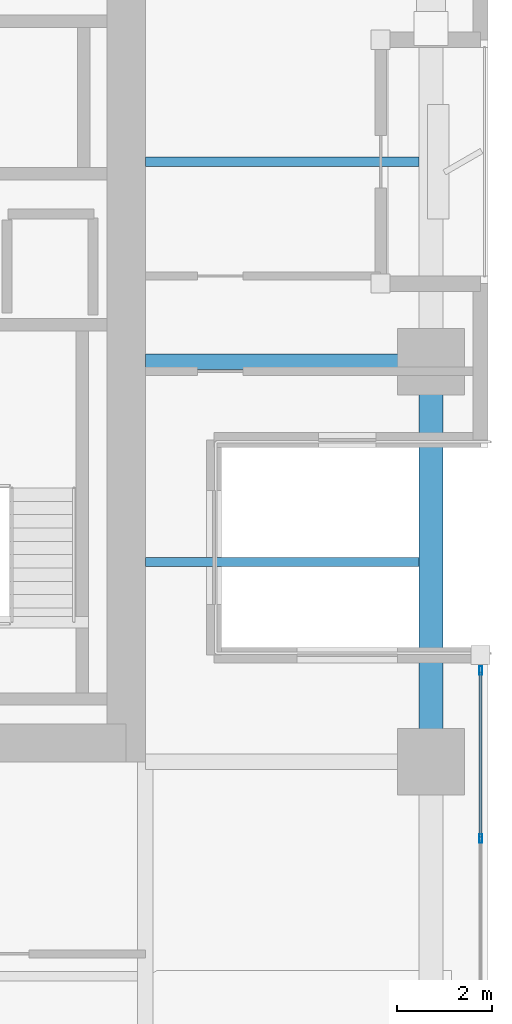
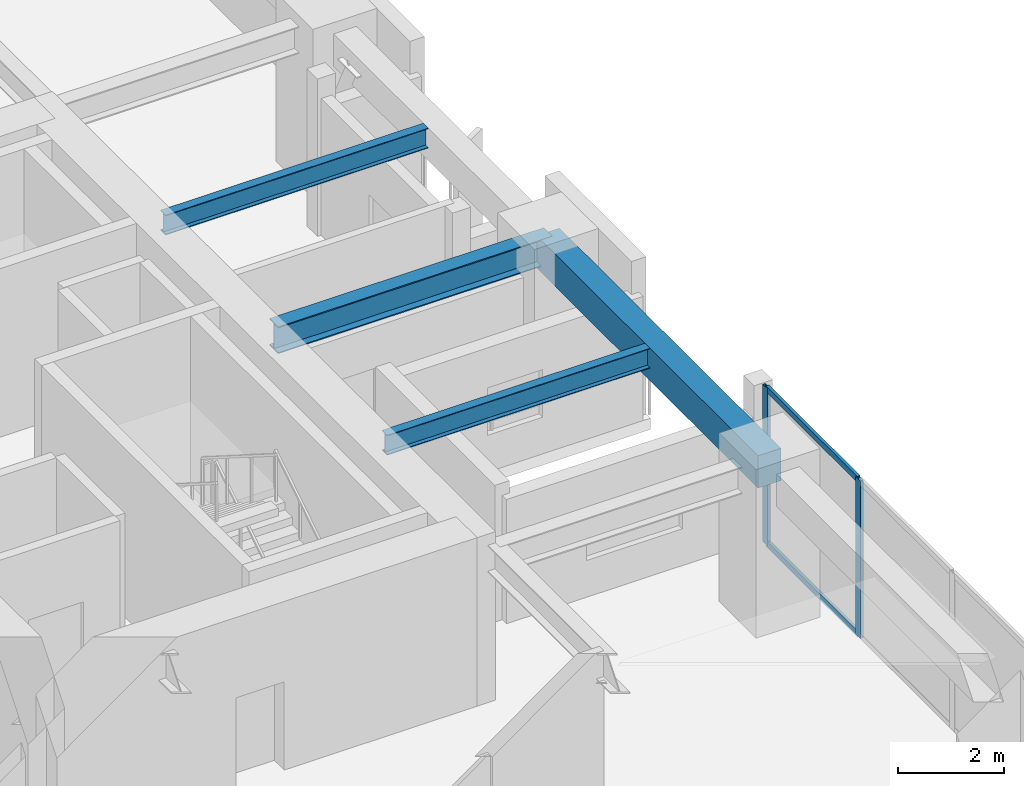
# One storey, part 6 of 24: 4 beams, 4 members, 1 element without a shape of its own.
"""IFC4 building model written with IfcOpenShell, lengths in metres."""

from ifc_helpers import new_model, si_unit, direction, frame, origin, origin_2d, place, context, subcontext, project, spatial, rectangle, hollow_rectangle, i_section, extrude, material, layer, layer_set, material_profile, profile_set, type_object, element, aggregate, save


model = new_model("IFC4")

# Units and contexts
model_context = context("Model", 3, precision=1e-05, world=origin(), true_north=direction((0.0, 1.0)))
body_context = subcontext(model_context, "Body", "Model", "MODEL_VIEW")
ifc_project = project(units=[si_unit("LENGTHUNIT", "METRE"), si_unit("AREAUNIT", "SQUARE_METRE"), si_unit("VOLUMEUNIT", "CUBIC_METRE"), si_unit("PLANEANGLEUNIT", "RADIAN"), si_unit("MASSUNIT", "GRAM", prefix="KILO")], contexts=[model_context])

# Site, building, storey
site_placement = place(None, origin())
site = spatial("IfcSite", under=ifc_project, at=site_placement, CompositionType="ELEMENT")
building_placement = place(site_placement, origin())
building = spatial("IfcBuilding", under=site, at=building_placement, Name="Kiyonajd Concourse Tower", CompositionType="ELEMENT")
storey_placement = place(building_placement, frame((0.0, 0.0, 129.89990234375)))
storey = spatial("IfcBuildingStorey", under=building, at=storey_placement, Name="L33", CompositionType="ELEMENT", Elevation=129.89990234375)

# Beams
ifc_material_1 = material(Name="Steel ASTM A992 Grade 50", Category="steel")
ifc_material_profile_1 = material_profile(ifc_material_1, i_section(OverallWidth=0.19189453125, OverallDepth=0.462890625, WebThickness=0.010498046875, FlangeThickness=0.017578125, at=origin_2d()), Name="W460X89")
ifc_profile_set_1 = profile_set([ifc_material_profile_1], Name="Steel ASTM A992 Grade 50")
beam_type_1 = type_object("IfcBeamType", Name="BM-JST-460B", PredefinedType="JOIST", material=ifc_profile_set_1)
for number, where, z_axis, x_axis, name in (
    (1, (63.60009765625, 31.800048828125, 3.40869140625), (1.0, 0.0, 0.0), (0.0, 1.0, 0.0), "L33 East Secondary Floor Joist"),
    (2, (63.60009765625, 40.199951171875, 3.40869140625), (1.0, 0.0, 0.0), (0.0, 1.0, 0.0), "L33 East Secondary Floor Joist"),
):
    element("IfcBeam", number, at=place(storey_placement, frame(where, z_axis=z_axis, x_axis=x_axis)), inside=storey, type_object=beam_type_1, Name=name, PredefinedType="JOIST", context=body_context, shape_type="SweptSolid", body=[
        extrude(i_section(OverallWidth=0.19189453125, OverallDepth=0.462890625, WebThickness=0.010498046875, FlangeThickness=0.017578125, at=origin_2d()), origin(), (0.0, 0.0, 1.0), 5.75),
    ])
ifc_material_2 = material(Name="Precast concrete C50/60", Category="concrete")
ifc_material_profile_2 = material_profile(ifc_material_2, rectangle(XDim=0.5, YDim=0.75, at=origin_2d()), Name="RCBM-500x750")
ifc_profile_set_2 = profile_set([ifc_material_profile_2], Name="Precast concrete C50/60")
beam_type_2 = type_object("IfcBeamType", Name="BM-SPAN-RC", PredefinedType="SPANDREL", material=ifc_profile_set_2)
beam_1_placement = place(storey_placement, frame((69.60009765625, 27.60009765625, 3.26513671875), z_axis=(0.0, 1.0, 0.0), x_axis=(-1.0, 0.0, 0.0)))
element("IfcBeam", 3, at=beam_1_placement, inside=storey, type_object=beam_type_2, Name="L33 Perimeter Bundled Tube Spandrel", PredefinedType="SPANDREL", context=body_context, shape_type="SweptSolid", body=[
    extrude(rectangle(XDim=0.5, YDim=0.75, at=origin_2d()), origin(), (0.0, 0.0, 1.0), 8.39990234375),
])
ifc_material_profile_3 = material_profile(ifc_material_1, i_section(OverallWidth=0.326904296875, OverallDepth=0.6220703125, WebThickness=0.015380859375, FlangeThickness=0.0244140625, at=origin_2d()), Name="W610X195")
ifc_profile_set_3 = profile_set([ifc_material_profile_3], Name="Steel ASTM A992 Grade 50")
beam_type_3 = type_object("IfcBeamType", Name="BM-TWR-610A", PredefinedType="BEAM", material=ifc_profile_set_3)
beam_2_placement = place(storey_placement, frame((63.60009765625, 36.0, 3.3291015625), z_axis=(1.0, 0.0, 0.0), x_axis=(0.0, 1.0, 0.0)))
element("IfcBeam", 4, at=beam_2_placement, inside=storey, type_object=beam_type_3, Name="L33 East Lease Girder", PredefinedType="BEAM", context=body_context, shape_type="SweptSolid", body=[
    extrude(i_section(OverallWidth=0.326904296875, OverallDepth=0.6220703125, WebThickness=0.015380859375, FlangeThickness=0.0244140625, at=origin_2d()), origin(), (0.0, 0.0, 1.0), 6.0),
])

# Curtain wall, members
ifc_material_3 = material(Name="Thermally Broken Anodised Aluminium", Category="aluminium")
ifc_layer = layer(ifc_material_3, 0.179931640625)
ifc_layer_set = layer_set([ifc_layer], Name="Thermally Broken Anodised Aluminium")
curtain_wall_type = type_object("IfcCurtainWallType", Name="CW-SYS-03", PredefinedType="NOTDEFINED", material=ifc_layer_set)
curtain_wall_placement = place(storey_placement, origin())
curtain_wall = element("IfcCurtainWall", 5, at=curtain_wall_placement, inside=storey, type_object=curtain_wall_type, Name="L33 Unitised Curtain Wall CW3", PredefinedType="NOTDEFINED")
ifc_material_profile_4 = material_profile(ifc_material_3, hollow_rectangle(XDim=0.06494140625, YDim=0.179931640625, WallThickness=0.00390625, at=origin_2d()), Name="MULL-65x180")
ifc_profile_set_4 = profile_set([ifc_material_profile_4], Name="Thermally Broken Anodised Aluminium")
member_type_1 = type_object("IfcMemberType", Name="MB-CW-MULL1", PredefinedType="MULLION", material=ifc_profile_set_4)
member_1_placement = place(storey_placement, frame((70.639892578125, 29.517578125, 0.0), z_axis=(0.0, 0.0, 1.0), x_axis=(1.0, 0.0, 0.0)))
member_1 = element("IfcMember", 6, at=member_1_placement, type_object=member_type_1, Name="CW3 mullion 1", PredefinedType="MULLION", context=body_context, shape_type="SweptSolid", body=[
    extrude(hollow_rectangle(XDim=0.06494140625, YDim=0.179931640625, WallThickness=0.00390625, at=origin_2d()), origin(), (0.0, 0.0, 1.0), 3.64013671875),
])
member_2_placement = place(storey_placement, frame((70.639892578125, 25.990234375, 0.0), z_axis=(0.0, 0.0, 1.0), x_axis=(1.0, 0.0, 0.0)))
member_2 = element("IfcMember", 7, at=member_2_placement, type_object=member_type_1, Name="CW3 mullion 2", PredefinedType="MULLION", context=body_context, shape_type="SweptSolid", body=[
    extrude(hollow_rectangle(XDim=0.06494140625, YDim=0.179931640625, WallThickness=0.00390625, at=origin_2d()), origin(), (0.0, 0.0, 1.0), 3.64013671875),
])
ifc_material_profile_5 = material_profile(ifc_material_3, hollow_rectangle(XDim=0.06494140625, YDim=0.139892578125, WallThickness=0.00390625, at=origin_2d()), Name="TRAN-65x140")
ifc_profile_set_5 = profile_set([ifc_material_profile_5], Name="Thermally Broken Anodised Aluminium")
member_type_2 = type_object("IfcMemberType", Name="MB-CW-TRAN1", PredefinedType="USERDEFINED", material=ifc_profile_set_5)
member_3_placement = place(storey_placement, frame((70.639892578125, 29.485107421875, 0.03271484375), z_axis=(0.0, -1.0, 0.0), x_axis=(1.0, 0.0, 0.0)))
member_3 = element("IfcMember", 8, at=member_3_placement, type_object=member_type_2, Name="CW3 transom 1.1", ObjectType="TRANSOM", PredefinedType="USERDEFINED", context=body_context, shape_type="SweptSolid", body=[
    extrude(hollow_rectangle(XDim=0.06494140625, YDim=0.139892578125, WallThickness=0.00390625, at=origin_2d()), origin(), (0.0, 0.0, 1.0), 3.46240234375),
])
member_4_placement = place(storey_placement, frame((70.639892578125, 29.485107421875, 3.607666015625), z_axis=(0.0, -1.0, 0.0), x_axis=(1.0, 0.0, 0.0)))
member_4 = element("IfcMember", 9, at=member_4_placement, type_object=member_type_2, Name="CW3 transom 1.2", ObjectType="TRANSOM", PredefinedType="USERDEFINED", context=body_context, shape_type="SweptSolid", body=[
    extrude(hollow_rectangle(XDim=0.06494140625, YDim=0.139892578125, WallThickness=0.00390625, at=origin_2d()), origin(), (0.0, 0.0, 1.0), 3.46240234375),
])
aggregate(curtain_wall, [member_1, member_2, member_3, member_4])

save(model, "model.ifc")
